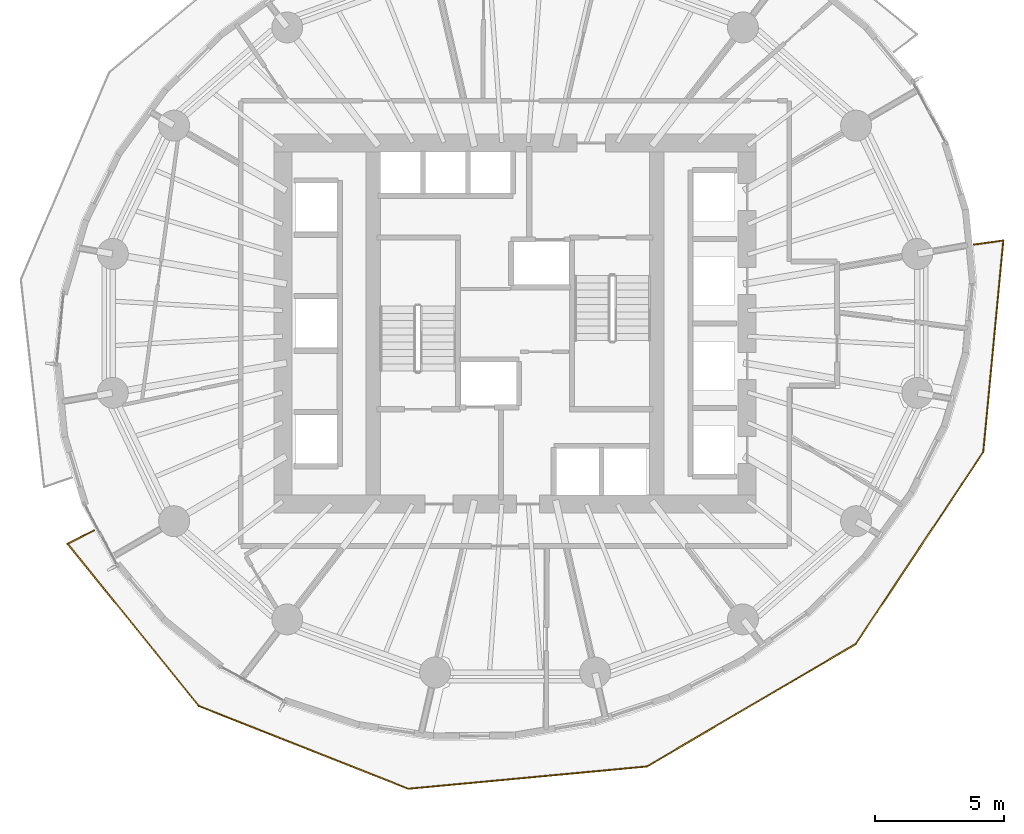
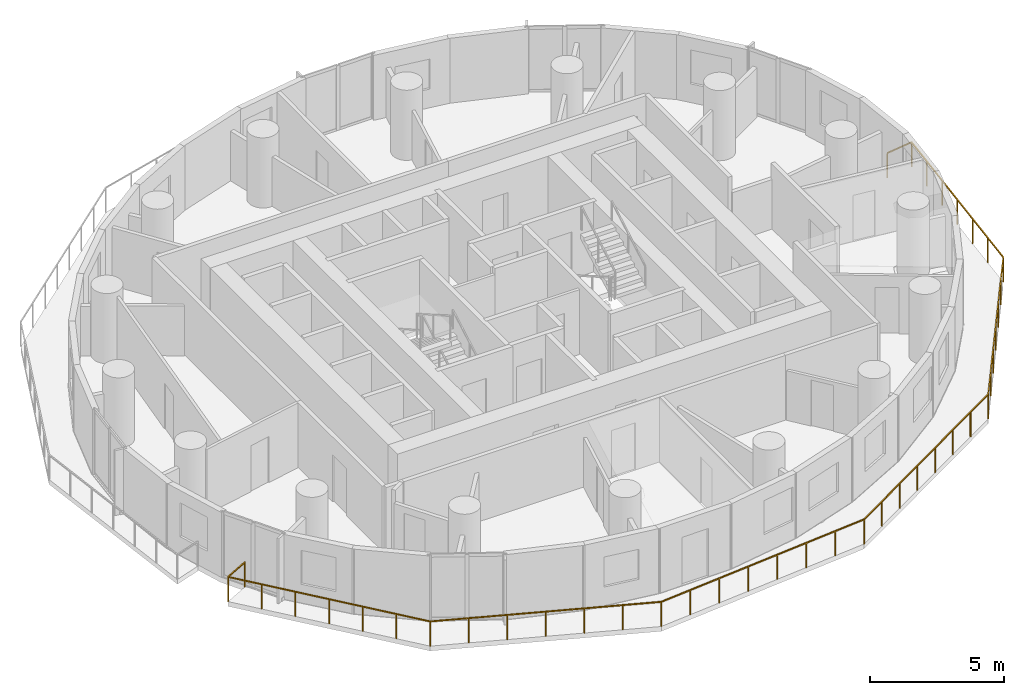
# One storey, part 12 of 14: 1 railing.
"""IFC4 building model written with IfcOpenShell, lengths in metres."""

from ifc_helpers import new_model, si_unit, direction, frame, origin, origin_2d, place, context, subcontext, project, spatial, rectangle, extrude, material, type_object, element, save


model = new_model("IFC4")

# Units and contexts
model_context = context("Model", 3, precision=1e-05, world=origin(), true_north=direction((0.0, 1.0)))
body_context = subcontext(model_context, "Body", "Model", "MODEL_VIEW")
ifc_project = project(units=[si_unit("LENGTHUNIT", "METRE"), si_unit("AREAUNIT", "SQUARE_METRE"), si_unit("VOLUMEUNIT", "CUBIC_METRE"), si_unit("PLANEANGLEUNIT", "RADIAN"), si_unit("MASSUNIT", "GRAM", prefix="KILO")], contexts=[model_context])

# Site, building, storey
site_placement = place(None, origin())
site = spatial("IfcSite", under=ifc_project, at=site_placement, CompositionType="ELEMENT")
building_placement = place(site_placement, origin())
building = spatial("IfcBuilding", under=site, at=building_placement, Name="Veldorim Arch Residences", CompositionType="ELEMENT")
storey_placement = place(building_placement, frame((0.0, 0.0, 96.47998046875)))
storey = spatial("IfcBuildingStorey", under=building, at=storey_placement, Name="L28", CompositionType="ELEMENT", Elevation=96.47998046875)

# Railing
ifc_material = material(Name="Aluminium", Category="aluminium")
railing_type = type_object("IfcRailingType", Name="Balcony & Terrace Laminated Glass Balustrade 1150", PredefinedType="BALUSTRADE", material=ifc_material)
railing_placement = place(storey_placement, frame((15.676025390625, 15.97705078125, 0.0)))
element("IfcRailing", 1, at=railing_placement, inside=storey, type_object=railing_type, Name="L28 crescent balcony safety balustrade B", PredefinedType="BALUSTRADE", context=body_context, shape_type="SweptSolid", body=[
    extrude(rectangle(XDim=0.048095703125, YDim=0.048095703125, at=origin_2d()), frame((0.0, 0.0, 1.1259765625), z_axis=(-0.893320552838, -0.449420059496, 0.0), x_axis=(0.449420059496, -0.893320552838, 0.0)), (0.0, 0.0, 1.0), 1.150146484375),
    extrude(rectangle(XDim=0.048095703125, YDim=0.048095703125, at=origin_2d()), frame((-1.02734375, -0.516845703125, 1.1259765625), z_axis=(0.628844035454, -0.777531465006, 0.0), x_axis=(0.777531465006, 0.628844035454, 0.0)), (0.0, 0.0, 1.0), 8.091552734375),
    extrude(rectangle(XDim=0.048095703125, YDim=0.048095703125, at=origin_2d()), frame((4.06103515625, -6.808349609375, 1.1259765625), z_axis=(0.929921370149, -0.367758406214, 0.0), x_axis=(0.367758406214, 0.929921370149, 0.0)), (0.0, 0.0, 1.0), 8.733154296875),
    extrude(rectangle(XDim=0.048095703125, YDim=0.048095703125, at=origin_2d()), frame((12.18212890625, -10.02001953125, 1.1259765625), z_axis=(0.995663778337, 0.093024945622, 0.0), x_axis=(-0.093024945622, 0.995663778337, 0.0)), (0.0, 0.0, 1.0), 9.293212890625),
    extrude(rectangle(XDim=0.048095703125, YDim=0.048095703125, at=origin_2d()), frame((21.43505859375, -9.155517578125, 1.1259765625), z_axis=(0.862618902727, 0.505854355183, 0.0), x_axis=(-0.505854355183, 0.862618902727, 0.0)), (0.0, 0.0, 1.0), 9.384765625),
    extrude(rectangle(XDim=0.048095703125, YDim=0.048095703125, at=origin_2d()), frame((29.530517578125, -4.408203125, 1.1259765625), z_axis=(0.553337928874, 0.832956863511, 0.0), x_axis=(-0.832956863511, 0.553337928874, 0.0)), (0.0, 0.0, 1.0), 8.938232421875),
    extrude(rectangle(XDim=0.048095703125, YDim=0.048095703125, at=origin_2d()), frame((34.476318359375, 3.036865234375, 1.1259765625), z_axis=(0.094523829263, 0.995522599292, 0.0), x_axis=(-0.995522599292, 0.094523829263, 0.0)), (0.0, 0.0, 1.0), 8.2392578125),
    extrude(rectangle(XDim=0.048095703125, YDim=0.048095703125, at=origin_2d()), frame((35.255126953125, 11.2392578125, 1.1259765625), z_axis=(-0.990580459083, -0.136931932299, 0.0), x_axis=(0.136931932299, -0.990580459083, 0.0)), (0.0, 0.0, 1.0), 1.14990234375),
    extrude(rectangle(XDim=0.0419921875, YDim=0.0419921875, at=origin_2d()), origin(), (0.0, 0.0, 1.0), 1.101806640625),
    extrude(rectangle(XDim=0.0419921875, YDim=0.0419921875, at=origin_2d()), frame((-1.02734375, -0.516845703125, 0.0)), (0.0, 0.0, 1.0), 1.101806640625),
    extrude(rectangle(XDim=0.0419921875, YDim=0.0419921875, at=origin_2d()), frame((-0.17919921875, -1.5654296875, 0.0)), (0.0, 0.0, 1.0), 1.101806640625),
    extrude(rectangle(XDim=0.0419921875, YDim=0.0419921875, at=origin_2d()), frame((0.668701171875, -2.614013671875, 0.0)), (0.0, 0.0, 1.0), 1.101806640625),
    extrude(rectangle(XDim=0.0419921875, YDim=0.0419921875, at=origin_2d()), frame((1.516845703125, -3.66259765625, 0.0)), (0.0, 0.0, 1.0), 1.101806640625),
    extrude(rectangle(XDim=0.0419921875, YDim=0.0419921875, at=origin_2d()), frame((2.364990234375, -4.711181640625, 0.0)), (0.0, 0.0, 1.0), 1.101806640625),
    extrude(rectangle(XDim=0.0419921875, YDim=0.0419921875, at=origin_2d()), frame((3.212890625, -5.759765625, 0.0)), (0.0, 0.0, 1.0), 1.101806640625),
    extrude(rectangle(XDim=0.0419921875, YDim=0.0419921875, at=origin_2d()), frame((4.06103515625, -6.808349609375, 0.0)), (0.0, 0.0, 1.0), 1.101806640625),
    extrude(rectangle(XDim=0.0419921875, YDim=0.0419921875, at=origin_2d()), frame((5.41455078125, -7.34375, 0.0)), (0.0, 0.0, 1.0), 1.101806640625),
    extrude(rectangle(XDim=0.0419921875, YDim=0.0419921875, at=origin_2d()), frame((6.76806640625, -7.87890625, 0.0)), (0.0, 0.0, 1.0), 1.101806640625),
    extrude(rectangle(XDim=0.0419921875, YDim=0.0419921875, at=origin_2d()), frame((8.12158203125, -8.4140625, 0.0)), (0.0, 0.0, 1.0), 1.101806640625),
    extrude(rectangle(XDim=0.0419921875, YDim=0.0419921875, at=origin_2d()), frame((9.47509765625, -8.949462890625, 0.0)), (0.0, 0.0, 1.0), 1.101806640625),
    extrude(rectangle(XDim=0.0419921875, YDim=0.0419921875, at=origin_2d()), frame((10.82861328125, -9.48486328125, 0.0)), (0.0, 0.0, 1.0), 1.101806640625),
    extrude(rectangle(XDim=0.0419921875, YDim=0.0419921875, at=origin_2d()), frame((12.18212890625, -10.02001953125, 0.0)), (0.0, 0.0, 1.0), 1.101806640625),
    extrude(rectangle(XDim=0.0419921875, YDim=0.0419921875, at=origin_2d()), frame((13.50390625, -9.896484375, 0.0)), (0.0, 0.0, 1.0), 1.101806640625),
    extrude(rectangle(XDim=0.0419921875, YDim=0.0419921875, at=origin_2d()), frame((14.825927734375, -9.77294921875, 0.0)), (0.0, 0.0, 1.0), 1.101806640625),
    extrude(rectangle(XDim=0.0419921875, YDim=0.0419921875, at=origin_2d()), frame((16.147705078125, -9.6494140625, 0.0)), (0.0, 0.0, 1.0), 1.101806640625),
    extrude(rectangle(XDim=0.0419921875, YDim=0.0419921875, at=origin_2d()), frame((17.469482421875, -9.526123046875, 0.0)), (0.0, 0.0, 1.0), 1.101806640625),
    extrude(rectangle(XDim=0.0419921875, YDim=0.0419921875, at=origin_2d()), frame((18.791259765625, -9.402587890625, 0.0)), (0.0, 0.0, 1.0), 1.101806640625),
    extrude(rectangle(XDim=0.0419921875, YDim=0.0419921875, at=origin_2d()), frame((20.11328125, -9.279052734375, 0.0)), (0.0, 0.0, 1.0), 1.101806640625),
    extrude(rectangle(XDim=0.0419921875, YDim=0.0419921875, at=origin_2d()), frame((21.43505859375, -9.155517578125, 0.0)), (0.0, 0.0, 1.0), 1.101806640625),
    extrude(rectangle(XDim=0.0419921875, YDim=0.0419921875, at=origin_2d()), frame((22.591552734375, -8.477294921875, 0.0)), (0.0, 0.0, 1.0), 1.101806640625),
    extrude(rectangle(XDim=0.0419921875, YDim=0.0419921875, at=origin_2d()), frame((23.748046875, -7.799072265625, 0.0)), (0.0, 0.0, 1.0), 1.101806640625),
    extrude(rectangle(XDim=0.0419921875, YDim=0.0419921875, at=origin_2d()), frame((24.904541015625, -7.120849609375, 0.0)), (0.0, 0.0, 1.0), 1.101806640625),
    extrude(rectangle(XDim=0.0419921875, YDim=0.0419921875, at=origin_2d()), frame((26.06103515625, -6.44287109375, 0.0)), (0.0, 0.0, 1.0), 1.101806640625),
    extrude(rectangle(XDim=0.0419921875, YDim=0.0419921875, at=origin_2d()), frame((27.217529296875, -5.7646484375, 0.0)), (0.0, 0.0, 1.0), 1.101806640625),
    extrude(rectangle(XDim=0.0419921875, YDim=0.0419921875, at=origin_2d()), frame((28.3740234375, -5.08642578125, 0.0)), (0.0, 0.0, 1.0), 1.101806640625),
    extrude(rectangle(XDim=0.0419921875, YDim=0.0419921875, at=origin_2d()), frame((29.530517578125, -4.408203125, 0.0)), (0.0, 0.0, 1.0), 1.101806640625),
    extrude(rectangle(XDim=0.0419921875, YDim=0.0419921875, at=origin_2d()), frame((30.354736328125, -3.16748046875, 0.0)), (0.0, 0.0, 1.0), 1.101806640625),
    extrude(rectangle(XDim=0.0419921875, YDim=0.0419921875, at=origin_2d()), frame((31.17919921875, -1.926513671875, 0.0)), (0.0, 0.0, 1.0), 1.101806640625),
    extrude(rectangle(XDim=0.0419921875, YDim=0.0419921875, at=origin_2d()), frame((32.00341796875, -0.685546875, 0.0)), (0.0, 0.0, 1.0), 1.101806640625),
    extrude(rectangle(XDim=0.0419921875, YDim=0.0419921875, at=origin_2d()), frame((32.82763671875, 0.55517578125, 0.0)), (0.0, 0.0, 1.0), 1.101806640625),
    extrude(rectangle(XDim=0.0419921875, YDim=0.0419921875, at=origin_2d()), frame((33.652099609375, 1.7958984375, 0.0)), (0.0, 0.0, 1.0), 1.101806640625),
    extrude(rectangle(XDim=0.0419921875, YDim=0.0419921875, at=origin_2d()), frame((34.476318359375, 3.036865234375, 0.0)), (0.0, 0.0, 1.0), 1.101806640625),
    extrude(rectangle(XDim=0.0419921875, YDim=0.0419921875, at=origin_2d()), frame((34.606201171875, 4.40380859375, 0.0)), (0.0, 0.0, 1.0), 1.101806640625),
    extrude(rectangle(XDim=0.0419921875, YDim=0.0419921875, at=origin_2d()), frame((34.73583984375, 5.77099609375, 0.0)), (0.0, 0.0, 1.0), 1.101806640625),
    extrude(rectangle(XDim=0.0419921875, YDim=0.0419921875, at=origin_2d()), frame((34.86572265625, 7.13818359375, 0.0)), (0.0, 0.0, 1.0), 1.101806640625),
    extrude(rectangle(XDim=0.0419921875, YDim=0.0419921875, at=origin_2d()), frame((34.99560546875, 8.505126953125, 0.0)), (0.0, 0.0, 1.0), 1.101806640625),
    extrude(rectangle(XDim=0.0419921875, YDim=0.0419921875, at=origin_2d()), frame((35.125244140625, 9.8720703125, 0.0)), (0.0, 0.0, 1.0), 1.101806640625),
    extrude(rectangle(XDim=0.0419921875, YDim=0.0419921875, at=origin_2d()), frame((35.255126953125, 11.2392578125, 0.0)), (0.0, 0.0, 1.0), 1.101806640625),
    extrude(rectangle(XDim=0.0419921875, YDim=0.0419921875, at=origin_2d()), frame((34.115966796875, 11.081787109375, 0.0)), (0.0, 0.0, 1.0), 1.101806640625),
])

save(model, "model.ifc")
